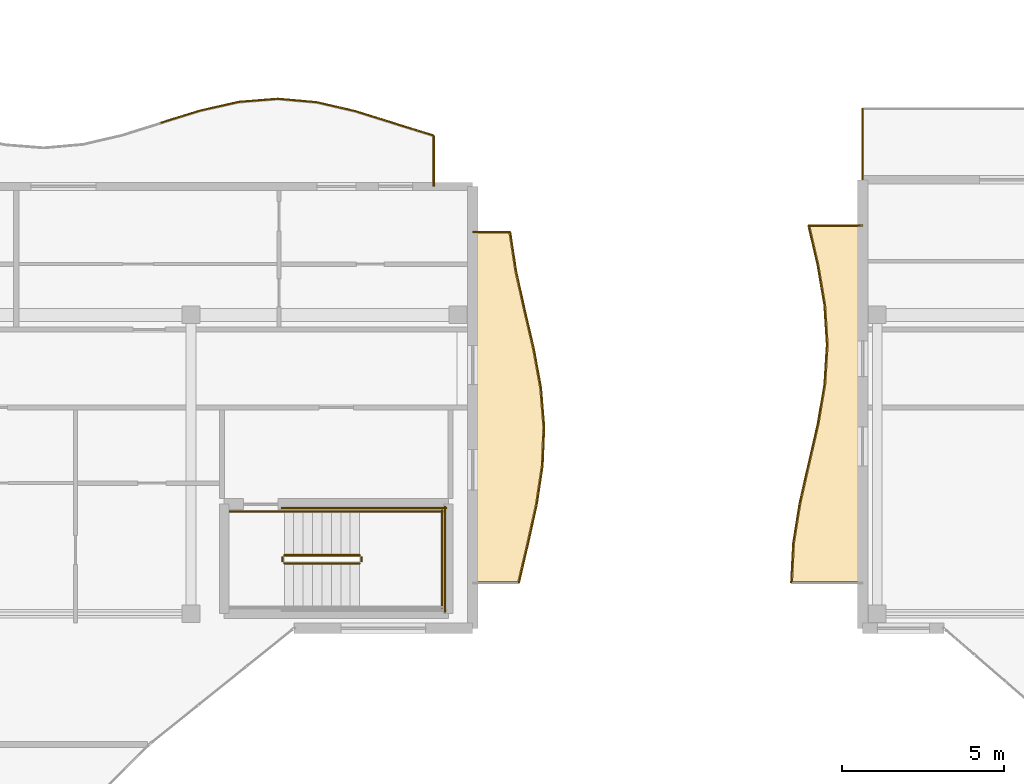
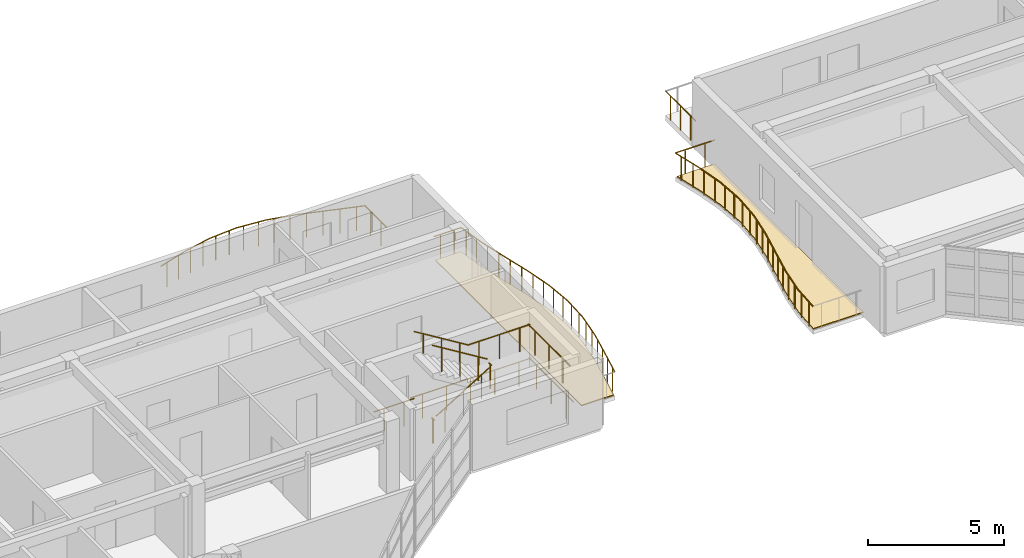
# One storey, part 46 of 54: 39 railings, 2 coverings.
"""IFC4 building model written with IfcOpenShell, lengths in metres."""

from ifc_helpers import new_model, si_unit, direction, frame, origin, origin_2d, place, context, subcontext, project, spatial, polyline, circle, outline, extrude, material, layer, layer_set, type_object, element, save


model = new_model("IFC4")

# Units and contexts
model_context = context("Model", 3, precision=1e-05, world=origin(), true_north=direction((0.0, 1.0)))
body_context = subcontext(model_context, "Body", "Model", "MODEL_VIEW")
ifc_project = project(units=[si_unit("LENGTHUNIT", "METRE"), si_unit("AREAUNIT", "SQUARE_METRE"), si_unit("VOLUMEUNIT", "CUBIC_METRE"), si_unit("PLANEANGLEUNIT", "RADIAN"), si_unit("MASSUNIT", "GRAM", prefix="KILO")], contexts=[model_context])

# Site, building, storey
site_placement = place(None, origin())
site = spatial("IfcSite", under=ifc_project, at=site_placement, CompositionType="ELEMENT")
building_placement = place(site_placement, origin())
building = spatial("IfcBuilding", under=site, at=building_placement, Name="Keldmere Railside Commons", CompositionType="ELEMENT")
storey_placement = place(building_placement, frame((0.0, 0.0, 26.56005859375)))
storey = spatial("IfcBuildingStorey", under=building, at=storey_placement, Name="L08", CompositionType="ELEMENT", Elevation=26.56005859375)

# Railings
ifc_material_1 = material(Name="Steel F-24 (S235)", Category="steel")
railing_type_1 = type_object("IfcRailingType", Name="Balcony & Terrace Steel Balustrade 1100", PredefinedType="BALUSTRADE", material=ifc_material_1)
railing_1_placement = place(storey_placement, frame((71.89990234375, 115.560546875, 0.0)))
element("IfcRailing", 1, at=railing_1_placement, inside=storey, type_object=railing_type_1, Name="GR-1 GRD-L08-1664", PredefinedType="BALUSTRADE", context=body_context, shape_type="SweptSolid", body=[
    extrude(circle(Radius=0.02392578125, at=origin_2d()), frame((0.0, 0.0, 1.076171875), z_axis=(0.954824938792, 0.297168868257, 0.0), x_axis=(-0.297168868257, 0.954824938792, 0.0)), (0.0, 0.0, 1.0), 1.257080078125),
    extrude(circle(Radius=0.02099609375, at=origin_2d()), frame((0.300048828125, 0.09326171875, 0.0)), (0.0, 0.0, 1.0), 1.048095703125),
    extrude(circle(Radius=0.02099609375, at=origin_2d()), frame((0.900146484375, 0.2802734375, 0.0)), (0.0, 0.0, 1.0), 1.048095703125),
])
railing_2_placement = place(storey_placement, frame((73.10009765625, 115.93408203125, 0.0)))
element("IfcRailing", 2, at=railing_2_placement, inside=storey, type_object=railing_type_1, Name="GR-1 GRD-L08-1665", PredefinedType="BALUSTRADE", context=body_context, shape_type="SweptSolid", body=[
    extrude(circle(Radius=0.02392578125, at=origin_2d()), frame((0.0, 0.0, 1.076171875), z_axis=(0.975519348897, 0.219913619243, 0.0), x_axis=(-0.219913619243, 0.975519348897, 0.0)), (0.0, 0.0, 1.0), 1.22998046875),
    extrude(circle(Radius=0.02099609375, at=origin_2d()), frame((0.300048828125, 0.067626953125, 0.0)), (0.0, 0.0, 1.0), 1.048095703125),
    extrude(circle(Radius=0.02099609375, at=origin_2d()), frame((0.89990234375, 0.202880859375, 0.0)), (0.0, 0.0, 1.0), 1.048095703125),
])
railing_3_placement = place(storey_placement, frame((74.300048828125, 116.20458984375, 0.0)))
element("IfcRailing", 3, at=railing_3_placement, inside=storey, type_object=railing_type_1, Name="GR-1 GRD-L08-1666", PredefinedType="BALUSTRADE", context=body_context, shape_type="SweptSolid", body=[
    extrude(circle(Radius=0.02392578125, at=origin_2d()), frame((0.0, 0.0, 1.076171875), z_axis=(0.996866661985, 0.079100304817, 0.0), x_axis=(-0.079100304817, 0.996866661985, 0.0)), (0.0, 0.0, 1.0), 1.20361328125),
    extrude(circle(Radius=0.02099609375, at=origin_2d()), frame((0.300048828125, 0.02392578125, 0.0)), (0.0, 0.0, 1.0), 1.048095703125),
    extrude(circle(Radius=0.02099609375, at=origin_2d()), frame((0.89990234375, 0.0712890625, 0.0)), (0.0, 0.0, 1.0), 1.048095703125),
])
railing_4_placement = place(storey_placement, frame((75.5, 116.2998046875, 0.0)))
element("IfcRailing", 4, at=railing_4_placement, inside=storey, type_object=railing_type_1, Name="GR-1 GRD-L08-1667", PredefinedType="BALUSTRADE", context=body_context, shape_type="SweptSolid", body=[
    extrude(circle(Radius=0.02392578125, at=origin_2d()), frame((0.0, 0.0, 1.076171875), z_axis=(0.996141844593, -0.08775776576, 0.0), x_axis=(0.08775776576, 0.996141844593, 0.0)), (0.0, 0.0, 1.0), 1.20458984375),
    extrude(circle(Radius=0.02099609375, at=origin_2d()), frame((0.300048828125, -0.0263671875, 0.0)), (0.0, 0.0, 1.0), 1.048095703125),
    extrude(circle(Radius=0.02099609375, at=origin_2d()), frame((0.89990234375, -0.079345703125, 0.0)), (0.0, 0.0, 1.0), 1.048095703125),
])
railing_5_placement = place(storey_placement, frame((76.699951171875, 116.194091796875, 0.0)))
element("IfcRailing", 5, at=railing_5_placement, inside=storey, type_object=railing_type_1, Name="GR-1 GRD-L08-1668", PredefinedType="BALUSTRADE", context=body_context, shape_type="SweptSolid", body=[
    extrude(circle(Radius=0.02392578125, at=origin_2d()), frame((0.0, 0.0, 1.076171875), z_axis=(0.974183667975, -0.225756906983, 0.0), x_axis=(0.225756906983, 0.974183667975, 0.0)), (0.0, 0.0, 1.0), 1.231689453125),
    extrude(circle(Radius=0.02099609375, at=origin_2d()), frame((0.300048828125, -0.069580078125, 0.0)), (0.0, 0.0, 1.0), 1.048095703125),
    extrude(circle(Radius=0.02099609375, at=origin_2d()), frame((0.89990234375, -0.20849609375, 0.0)), (0.0, 0.0, 1.0), 1.048095703125),
])
railing_6_placement = place(storey_placement, frame((77.89990234375, 115.916015625, 0.0)))
element("IfcRailing", 6, at=railing_6_placement, inside=storey, type_object=railing_type_1, Name="GR-1 GRD-L08-1669", PredefinedType="BALUSTRADE", context=body_context, shape_type="SweptSolid", body=[
    extrude(circle(Radius=0.02392578125, at=origin_2d()), frame((0.0, 0.0, 1.076171875), z_axis=(0.954161704015, -0.299291567858, 0.0), x_axis=(0.299291567858, 0.954161704015, 0.0)), (0.0, 0.0, 1.0), 1.2578125),
    extrude(circle(Radius=0.02099609375, at=origin_2d()), frame((0.300048828125, -0.09423828125, 0.0)), (0.0, 0.0, 1.0), 1.048095703125),
    extrude(circle(Radius=0.02099609375, at=origin_2d()), frame((0.900146484375, -0.2822265625, 0.0)), (0.0, 0.0, 1.0), 1.048095703125),
])
railing_7_placement = place(storey_placement, frame((79.10009765625, 115.53955078125, 0.0)))
element("IfcRailing", 7, at=railing_7_placement, inside=storey, type_object=railing_type_1, Name="GR-1 GRD-L08-1670", PredefinedType="BALUSTRADE", context=body_context, shape_type="SweptSolid", body=[
    extrude(circle(Radius=0.02392578125, at=origin_2d()), frame((0.0, 0.0, 1.076171875), z_axis=(0.954807781872, -0.297223989067, 0.0), x_axis=(0.297223989067, 0.954807781872, 0.0)), (0.0, 0.0, 1.0), 1.2568359375),
    extrude(circle(Radius=0.02099609375, at=origin_2d()), frame((0.300048828125, -0.09326171875, 0.0)), (0.0, 0.0, 1.0), 1.048095703125),
    extrude(circle(Radius=0.02099609375, at=origin_2d()), frame((0.89990234375, -0.2802734375, 0.0)), (0.0, 0.0, 1.0), 1.048095703125),
])
railing_8_placement = place(storey_placement, frame((80.300048828125, 115.166015625, 0.0)))
element("IfcRailing", 8, at=railing_8_placement, inside=storey, type_object=railing_type_1, Name="GR-1 GRD-L08-1671", PredefinedType="BALUSTRADE", context=body_context, shape_type="SweptSolid", body=[
    extrude(circle(Radius=0.02392578125, at=origin_2d()), frame((0.0, 0.0, 1.076171875), z_axis=(0.0, -1.0, 0.0), x_axis=(1.0, 0.0, 0.0)), (0.0, 0.0, 1.0), 1.56591796875),
    extrude(circle(Radius=0.02099609375, at=origin_2d()), frame((0.0, -0.3916015625, 0.0)), (0.0, 0.0, 1.0), 1.048095703125),
    extrude(circle(Radius=0.02099609375, at=origin_2d()), frame((0.0, -1.17431640625, 0.0)), (0.0, 0.0, 1.0), 1.048095703125),
])
railing_9_placement = place(storey_placement, frame((82.919189453125, 101.39990234375, 0.0)))
element("IfcRailing", 9, at=railing_9_placement, inside=storey, type_object=railing_type_1, Name="GR-1 GRD-L08-1719", PredefinedType="BALUSTRADE", context=body_context, shape_type="SweptSolid", body=[
    extrude(circle(Radius=0.02392578125, at=origin_2d()), frame((0.0, 0.0, 1.076171875), z_axis=(0.227592779439, 0.973756400106, 0.0), x_axis=(-0.973756400106, 0.227592779439, 0.0)), (0.0, 0.0, 1.0), 1.232421875),
    extrude(circle(Radius=0.02099609375, at=origin_2d()), frame((0.070068359375, 0.300048828125, 0.0)), (0.0, 0.0, 1.0), 1.048095703125),
    extrude(circle(Radius=0.02099609375, at=origin_2d()), frame((0.21044921875, 0.900146484375, 0.0)), (0.0, 0.0, 1.0), 1.048095703125),
])
railing_10_placement = place(storey_placement, frame((83.19970703125, 102.60009765625, 0.0)))
element("IfcRailing", 10, at=railing_10_placement, inside=storey, type_object=railing_type_1, Name="GR-1 GRD-L08-1720", PredefinedType="BALUSTRADE", context=body_context, shape_type="SweptSolid", body=[
    extrude(circle(Radius=0.02392578125, at=origin_2d()), frame((0.0, 0.0, 1.076171875), z_axis=(0.217266894367, 0.976112235663, 0.0), x_axis=(-0.976112235663, 0.217266894367, 0.0)), (0.0, 0.0, 1.0), 1.229248046875),
    extrude(circle(Radius=0.02099609375, at=origin_2d()), frame((0.06689453125, 0.300048828125, 0.0)), (0.0, 0.0, 1.0), 1.048095703125),
    extrude(circle(Radius=0.02099609375, at=origin_2d()), frame((0.2001953125, 0.89990234375, 0.0)), (0.0, 0.0, 1.0), 1.048095703125),
])
railing_11_placement = place(storey_placement, frame((83.466796875, 103.800048828125, 0.0)))
element("IfcRailing", 11, at=railing_11_placement, inside=storey, type_object=railing_type_1, Name="GR-1 GRD-L08-1721", PredefinedType="BALUSTRADE", context=body_context, shape_type="SweptSolid", body=[
    extrude(circle(Radius=0.02392578125, at=origin_2d()), frame((0.0, 0.0, 1.076171875), z_axis=(0.15025821956, 0.988646785993, 0.0), x_axis=(-0.988646785993, 0.15025821956, 0.0)), (0.0, 0.0, 1.0), 1.213623046875),
    extrude(circle(Radius=0.02099609375, at=origin_2d()), frame((0.045654296875, 0.300048828125, 0.0)), (0.0, 0.0, 1.0), 1.048095703125),
    extrude(circle(Radius=0.02099609375, at=origin_2d()), frame((0.13671875, 0.89990234375, 0.0)), (0.0, 0.0, 1.0), 1.048095703125),
])
railing_12_placement = place(storey_placement, frame((83.649169921875, 105.0, 0.0)))
element("IfcRailing", 12, at=railing_12_placement, inside=storey, type_object=railing_type_1, Name="GR-1 GRD-L08-1722", PredefinedType="BALUSTRADE", context=body_context, shape_type="SweptSolid", body=[
    extrude(circle(Radius=0.02392578125, at=origin_2d()), frame((0.0, 0.0, 1.076171875), z_axis=(0.040455155578, 0.999181355104, 0.0), x_axis=(-0.999181355104, 0.040455155578, 0.0)), (0.0, 0.0, 1.0), 1.200927734375),
    extrude(circle(Radius=0.02099609375, at=origin_2d()), frame((0.01220703125, 0.300048828125, 0.0)), (0.0, 0.0, 1.0), 1.048095703125),
    extrude(circle(Radius=0.02099609375, at=origin_2d()), frame((0.036376953125, 0.89990234375, 0.0)), (0.0, 0.0, 1.0), 1.048095703125),
])
railing_13_placement = place(storey_placement, frame((83.69775390625, 106.199951171875, 0.0)))
element("IfcRailing", 13, at=railing_13_placement, inside=storey, type_object=railing_type_1, Name="GR-1 GRD-L08-1723", PredefinedType="BALUSTRADE", context=body_context, shape_type="SweptSolid", body=[
    extrude(circle(Radius=0.02392578125, at=origin_2d()), frame((0.0, 0.0, 1.076171875), z_axis=(-0.08151822668, 0.996671851072, 0.0), x_axis=(-0.996671851072, -0.08151822668, 0.0)), (0.0, 0.0, 1.0), 1.203857421875),
    extrude(circle(Radius=0.02099609375, at=origin_2d()), frame((-0.0244140625, 0.300048828125, 0.0)), (0.0, 0.0, 1.0), 1.048095703125),
    extrude(circle(Radius=0.02099609375, at=origin_2d()), frame((-0.07373046875, 0.89990234375, 0.0)), (0.0, 0.0, 1.0), 1.048095703125),
])
railing_14_placement = place(storey_placement, frame((83.599609375, 107.39990234375, 0.0)))
element("IfcRailing", 14, at=railing_14_placement, inside=storey, type_object=railing_type_1, Name="GR-1 GRD-L08-1724", PredefinedType="BALUSTRADE", context=body_context, shape_type="SweptSolid", body=[
    extrude(circle(Radius=0.02392578125, at=origin_2d()), frame((0.0, 0.0, 1.076171875), z_axis=(-0.179308076446, 0.983792972999, 0.0), x_axis=(-0.983792972999, -0.179308076446, 0.0)), (0.0, 0.0, 1.0), 1.219970703125),
    extrude(circle(Radius=0.02099609375, at=origin_2d()), frame((-0.0546875, 0.300048828125, 0.0)), (0.0, 0.0, 1.0), 1.048095703125),
    extrude(circle(Radius=0.02099609375, at=origin_2d()), frame((-0.1640625, 0.900146484375, 0.0)), (0.0, 0.0, 1.0), 1.048095703125),
])
railing_15_placement = place(storey_placement, frame((83.380859375, 108.60009765625, 0.0)))
element("IfcRailing", 15, at=railing_15_placement, inside=storey, type_object=railing_type_1, Name="GR-1 GRD-L08-1725", PredefinedType="BALUSTRADE", context=body_context, shape_type="SweptSolid", body=[
    extrude(circle(Radius=0.02392578125, at=origin_2d()), frame((0.0, 0.0, 1.076171875), z_axis=(-0.227636685931, 0.973746136947, 0.0), x_axis=(-0.973746136947, -0.227636685931, 0.0)), (0.0, 0.0, 1.0), 1.232421875),
    extrude(circle(Radius=0.02099609375, at=origin_2d()), frame((-0.070068359375, 0.300048828125, 0.0)), (0.0, 0.0, 1.0), 1.048095703125),
    extrude(circle(Radius=0.02099609375, at=origin_2d()), frame((-0.21044921875, 0.89990234375, 0.0)), (0.0, 0.0, 1.0), 1.048095703125),
])
railing_16_placement = place(storey_placement, frame((83.100341796875, 109.800048828125, 0.0)))
element("IfcRailing", 16, at=railing_16_placement, inside=storey, type_object=railing_type_1, Name="GR-1 GRD-L08-1726", PredefinedType="BALUSTRADE", context=body_context, shape_type="SweptSolid", body=[
    extrude(circle(Radius=0.02392578125, at=origin_2d()), frame((0.0, 0.0, 1.076171875), z_axis=(-0.217456105912, 0.976070100967, 0.0), x_axis=(-0.976070100967, -0.217456105912, 0.0)), (0.0, 0.0, 1.0), 1.229248046875),
    extrude(circle(Radius=0.02099609375, at=origin_2d()), frame((-0.06689453125, 0.300048828125, 0.0)), (0.0, 0.0, 1.0), 1.048095703125),
    extrude(circle(Radius=0.02099609375, at=origin_2d()), frame((-0.200439453125, 0.89990234375, 0.0)), (0.0, 0.0, 1.0), 1.048095703125),
])
railing_17_placement = place(storey_placement, frame((82.8330078125, 111.0, 0.0)))
element("IfcRailing", 17, at=railing_17_placement, inside=storey, type_object=railing_type_1, Name="GR-1 GRD-L08-1727", PredefinedType="BALUSTRADE", context=body_context, shape_type="SweptSolid", body=[
    extrude(circle(Radius=0.02392578125, at=origin_2d()), frame((0.0, 0.0, 1.076171875), z_axis=(-0.150061603207, 0.988676648477, 0.0), x_axis=(-0.988676648477, -0.150061603207, 0.0)), (0.0, 0.0, 1.0), 1.213623046875),
    extrude(circle(Radius=0.02099609375, at=origin_2d()), frame((-0.04541015625, 0.300048828125, 0.0)), (0.0, 0.0, 1.0), 1.048095703125),
    extrude(circle(Radius=0.02099609375, at=origin_2d()), frame((-0.13671875, 0.89990234375, 0.0)), (0.0, 0.0, 1.0), 1.048095703125),
])
railing_18_placement = place(storey_placement, frame((82.65087890625, 112.199951171875, 0.0)))
element("IfcRailing", 18, at=railing_18_placement, inside=storey, type_object=railing_type_1, Name="GR-1 GRD-L08-1728", PredefinedType="BALUSTRADE", context=body_context, shape_type="SweptSolid", body=[
    extrude(circle(Radius=0.02392578125, at=origin_2d()), frame((0.0, 0.0, 1.076171875), z_axis=(-1.0, 0.0, 0.0), x_axis=(0.0, -1.0, 0.0)), (0.0, 0.0, 1.0), 1.15087890625),
    extrude(circle(Radius=0.02099609375, at=origin_2d()), frame((-0.28759765625, 0.0, 0.0)), (0.0, 0.0, 1.0), 1.048095703125),
    extrude(circle(Radius=0.02099609375, at=origin_2d()), frame((-0.86328125, 0.0, 0.0)), (0.0, 0.0, 1.0), 1.048095703125),
])
railing_19_placement = place(storey_placement, frame((91.30078125, 101.39990234375, 0.0)))
element("IfcRailing", 19, at=railing_19_placement, inside=storey, type_object=railing_type_1, Name="GR-1 GRD-L08-2823", PredefinedType="BALUSTRADE", context=body_context, shape_type="SweptSolid", body=[
    extrude(circle(Radius=0.02392578125, at=origin_2d()), frame((0.0, 0.0, 1.076171875), z_axis=(0.05006694864, 0.998745863898, 0.0), x_axis=(-0.998745863898, 0.05006694864, 0.0)), (0.0, 0.0, 1.0), 1.223876953125),
    extrude(circle(Radius=0.02099609375, at=origin_2d()), frame((0.015380859375, 0.3056640625, 0.0)), (0.0, 0.0, 1.0), 1.048095703125),
    extrude(circle(Radius=0.02099609375, at=origin_2d()), frame((0.0458984375, 0.916748046875, 0.0)), (0.0, 0.0, 1.0), 1.048095703125),
])
railing_20_placement = place(storey_placement, frame((91.362060546875, 102.622314453125, 0.0)))
element("IfcRailing", 20, at=railing_20_placement, inside=storey, type_object=railing_type_1, Name="GR-1 GRD-L08-2824", PredefinedType="BALUSTRADE", context=body_context, shape_type="SweptSolid", body=[
    extrude(circle(Radius=0.02392578125, at=origin_2d()), frame((0.0, 0.0, 1.076171875), z_axis=(0.158767358593, 0.987316021264, 0.0), x_axis=(-0.987316021264, 0.158767358593, 0.0)), (0.0, 0.0, 1.0), 1.23779296875),
    extrude(circle(Radius=0.02099609375, at=origin_2d()), frame((0.049072265625, 0.3056640625, 0.0)), (0.0, 0.0, 1.0), 1.048095703125),
    extrude(circle(Radius=0.02099609375, at=origin_2d()), frame((0.1474609375, 0.91650390625, 0.0)), (0.0, 0.0, 1.0), 1.048095703125),
])
railing_21_placement = place(storey_placement, frame((91.55859375, 103.844482421875, 0.0)))
element("IfcRailing", 21, at=railing_21_placement, inside=storey, type_object=railing_type_1, Name="GR-1 GRD-L08-2825", PredefinedType="BALUSTRADE", context=body_context, shape_type="SweptSolid", body=[
    extrude(circle(Radius=0.02392578125, at=origin_2d()), frame((0.0, 0.0, 1.076171875), z_axis=(0.22148638787, 0.975163463215, 0.0), x_axis=(-0.975163463215, 0.22148638787, 0.0)), (0.0, 0.0, 1.0), 1.253173828125),
    extrude(circle(Radius=0.02099609375, at=origin_2d()), frame((0.0693359375, 0.3056640625, 0.0)), (0.0, 0.0, 1.0), 1.048095703125),
    extrude(circle(Radius=0.02099609375, at=origin_2d()), frame((0.208251953125, 0.91650390625, 0.0)), (0.0, 0.0, 1.0), 1.048095703125),
])
railing_22_placement = place(storey_placement, frame((91.836181640625, 105.066650390625, 0.0)))
element("IfcRailing", 22, at=railing_22_placement, inside=storey, type_object=railing_type_1, Name="GR-1 GRD-L08-2826", PredefinedType="BALUSTRADE", context=body_context, shape_type="SweptSolid", body=[
    extrude(circle(Radius=0.02392578125, at=origin_2d()), frame((0.0, 0.0, 1.076171875), z_axis=(0.224447193324, 0.974486253063, 0.0), x_axis=(-0.974486253063, 0.224447193324, 0.0)), (0.0, 0.0, 1.0), 1.254150390625),
    extrude(circle(Radius=0.02099609375, at=origin_2d()), frame((0.0703125, 0.3056640625, 0.0)), (0.0, 0.0, 1.0), 1.048095703125),
    extrude(circle(Radius=0.02099609375, at=origin_2d()), frame((0.211181640625, 0.91650390625, 0.0)), (0.0, 0.0, 1.0), 1.048095703125),
])
railing_23_placement = place(storey_placement, frame((92.11767578125, 106.288818359375, 0.0)))
element("IfcRailing", 23, at=railing_23_placement, inside=storey, type_object=railing_type_1, Name="GR-1 GRD-L08-2827", PredefinedType="BALUSTRADE", context=body_context, shape_type="SweptSolid", body=[
    extrude(circle(Radius=0.02392578125, at=origin_2d()), frame((0.0, 0.0, 1.076171875), z_axis=(0.167017369654, 0.985953953404, 0.0), x_axis=(-0.985953953404, 0.167017369654, 0.0)), (0.0, 0.0, 1.0), 1.239501953125),
    extrude(circle(Radius=0.02099609375, at=origin_2d()), frame((0.0517578125, 0.3056640625, 0.0)), (0.0, 0.0, 1.0), 1.048095703125),
    extrude(circle(Radius=0.02099609375, at=origin_2d()), frame((0.1552734375, 0.91650390625, 0.0)), (0.0, 0.0, 1.0), 1.048095703125),
])
railing_24_placement = place(storey_placement, frame((92.32470703125, 107.510986328125, 0.0)))
element("IfcRailing", 24, at=railing_24_placement, inside=storey, type_object=railing_type_1, Name="GR-1 GRD-L08-2828", PredefinedType="BALUSTRADE", context=body_context, shape_type="SweptSolid", body=[
    extrude(circle(Radius=0.02392578125, at=origin_2d()), frame((0.0, 0.0, 1.076171875), z_axis=(0.061397826865, 0.998113373749, 0.0), x_axis=(-0.998113373749, 0.061397826865, 0.0)), (0.0, 0.0, 1.0), 1.224609375),
    extrude(circle(Radius=0.02099609375, at=origin_2d()), frame((0.018798828125, 0.3056640625, 0.0)), (0.0, 0.0, 1.0), 1.048095703125),
    extrude(circle(Radius=0.02099609375, at=origin_2d()), frame((0.056396484375, 0.916748046875, 0.0)), (0.0, 0.0, 1.0), 1.048095703125),
])
railing_25_placement = place(storey_placement, frame((92.39990234375, 108.7333984375, 0.0)))
element("IfcRailing", 25, at=railing_25_placement, inside=storey, type_object=railing_type_1, Name="GR-1 GRD-L08-2829", PredefinedType="BALUSTRADE", context=body_context, shape_type="SweptSolid", body=[
    extrude(circle(Radius=0.02392578125, at=origin_2d()), frame((0.0, 0.0, 1.076171875), z_axis=(-0.063197429309, 0.998001044553, 0.0), x_axis=(-0.998001044553, -0.063197429309, 0.0)), (0.0, 0.0, 1.0), 1.224609375),
    extrude(circle(Radius=0.02099609375, at=origin_2d()), frame((-0.019287109375, 0.3056640625, 0.0)), (0.0, 0.0, 1.0), 1.048095703125),
    extrude(circle(Radius=0.02099609375, at=origin_2d()), frame((-0.05810546875, 0.91650390625, 0.0)), (0.0, 0.0, 1.0), 1.048095703125),
])
railing_26_placement = place(storey_placement, frame((92.322509765625, 109.95556640625, 0.0)))
element("IfcRailing", 26, at=railing_26_placement, inside=storey, type_object=railing_type_1, Name="GR-1 GRD-L08-2830", PredefinedType="BALUSTRADE", context=body_context, shape_type="SweptSolid", body=[
    extrude(circle(Radius=0.02392578125, at=origin_2d()), frame((0.0, 0.0, 1.076171875), z_axis=(-0.168357128733, 0.985726066007, 0.0), x_axis=(-0.985726066007, -0.168357128733, 0.0)), (0.0, 0.0, 1.0), 1.23974609375),
    extrude(circle(Radius=0.02099609375, at=origin_2d()), frame((-0.05224609375, 0.3056640625, 0.0)), (0.0, 0.0, 1.0), 1.048095703125),
    extrude(circle(Radius=0.02099609375, at=origin_2d()), frame((-0.156494140625, 0.91650390625, 0.0)), (0.0, 0.0, 1.0), 1.048095703125),
])
railing_27_placement = place(storey_placement, frame((92.11376953125, 111.177734375, 0.0)))
element("IfcRailing", 27, at=railing_27_placement, inside=storey, type_object=railing_type_1, Name="GR-1 GRD-L08-2831", PredefinedType="BALUSTRADE", context=body_context, shape_type="SweptSolid", body=[
    extrude(circle(Radius=0.02392578125, at=origin_2d()), frame((0.0, 0.0, 1.076171875), z_axis=(-0.224816859188, 0.974401036445, 0.0), x_axis=(-0.974401036445, -0.224816859188, 0.0)), (0.0, 0.0, 1.0), 1.25439453125),
    extrude(circle(Radius=0.02099609375, at=origin_2d()), frame((-0.070556640625, 0.3056640625, 0.0)), (0.0, 0.0, 1.0), 1.048095703125),
    extrude(circle(Radius=0.02099609375, at=origin_2d()), frame((-0.21142578125, 0.91650390625, 0.0)), (0.0, 0.0, 1.0), 1.048095703125),
])
railing_28_placement = place(storey_placement, frame((91.831787109375, 112.39990234375, 0.0)))
element("IfcRailing", 28, at=railing_28_placement, inside=storey, type_object=railing_type_1, Name="GR-1 GRD-L08-2832", PredefinedType="BALUSTRADE", context=body_context, shape_type="SweptSolid", body=[
    extrude(circle(Radius=0.02392578125, at=origin_2d()), frame((0.0, 0.0, 1.076171875), z_axis=(1.0, 0.0, 0.0), x_axis=(0.0, 1.0, 0.0)), (0.0, 0.0, 1.0), 1.668212890625),
    extrude(circle(Radius=0.02099609375, at=origin_2d()), frame((0.4169921875, 0.0, 0.0)), (0.0, 0.0, 1.0), 1.048095703125),
    extrude(circle(Radius=0.02099609375, at=origin_2d()), frame((1.251220703125, 0.0, 0.0)), (0.0, 0.0, 1.0), 1.048095703125),
])
railing_29_placement = place(storey_placement, frame((93.5, 113.800048828125, 0.0)))
element("IfcRailing", 29, at=railing_29_placement, inside=storey, type_object=railing_type_1, Name="GR-1 GRD-L08-2836", PredefinedType="BALUSTRADE", context=body_context, shape_type="SweptSolid", body=[
    extrude(circle(Radius=0.02392578125, at=origin_2d()), frame((0.0, 0.0, 1.076171875), z_axis=(0.0, 1.0, 0.0), x_axis=(-1.0, 0.0, 0.0)), (0.0, 0.0, 1.0), 2.199951171875),
    extrude(circle(Radius=0.02099609375, at=origin_2d()), frame((0.0, 0.36669921875, 0.0)), (0.0, 0.0, 1.0), 1.048095703125),
    extrude(circle(Radius=0.02099609375, at=origin_2d()), frame((0.0, 1.10009765625, 0.0)), (0.0, 0.0, 1.0), 1.048095703125),
    extrude(circle(Radius=0.02099609375, at=origin_2d()), frame((0.0, 1.833251953125, 0.0)), (0.0, 0.0, 1.0), 1.048095703125),
])
railing_type_2 = type_object("IfcRailingType", Name="Stair Well Steel Guardrail 1100", PredefinedType="BALUSTRADE", material=ifc_material_1)
railing_30_placement = place(storey_placement, frame((75.699951171875, 102.0, 0.177734375)))
element("IfcRailing", 30, at=railing_30_placement, inside=storey, type_object=railing_type_2, Name="L08 ST-C2 stair guard 1", PredefinedType="BALUSTRADE", context=body_context, shape_type="SweptSolid", body=[
    extrude(circle(Radius=0.02392578125, at=origin_2d()), frame((0.0, 0.0, 1.076171875), z_axis=(0.852578041948, 0.0, 0.522599925744), x_axis=(0.0, 1.0, 0.0)), (0.0, 0.0, 1.0), 2.72119140625),
    extrude(circle(Radius=0.02099609375, at=origin_2d()), frame((0.38671875, 0.0, 0.237060546875)), (0.0, 0.0, 1.0), 1.048095703125),
    extrude(circle(Radius=0.02099609375, at=origin_2d()), frame((1.16015625, 0.0, 0.7109375)), (0.0, 0.0, 1.0), 1.048095703125),
    extrude(circle(Radius=0.02099609375, at=origin_2d()), frame((1.933349609375, 0.0, 1.18505859375)), (0.0, 0.0, 1.0), 1.048095703125),
])
railing_31_placement = place(storey_placement, frame((78.070068359375, 102.050048828125, 1.599853515625)))
element("IfcRailing", 31, at=railing_31_placement, inside=storey, type_object=railing_type_2, Name="L08 ST-C2 stair guard 2", PredefinedType="BALUSTRADE", context=body_context, shape_type="SweptSolid", body=[
    extrude(circle(Radius=0.02392578125, at=origin_2d()), frame((0.0, 0.0, 1.076171875), z_axis=(0.0, 1.0, 0.0), x_axis=(-1.0, 0.0, 0.0)), (0.0, 0.0, 1.0), 0.14990234375),
    extrude(circle(Radius=0.02099609375, at=origin_2d()), frame((0.0, 0.074951171875, 0.0)), (0.0, 0.0, 1.0), 1.048095703125),
])
railing_32_placement = place(storey_placement, frame((78.02001953125, 103.60009765625, 1.599853515625)))
element("IfcRailing", 32, at=railing_32_placement, inside=storey, type_object=railing_type_2, Name="L08 ST-C2 stair guard 4", PredefinedType="BALUSTRADE", context=body_context, shape_type="SweptSolid", body=[
    extrude(circle(Radius=0.02392578125, at=origin_2d()), frame((0.0, 0.0, 1.076171875), z_axis=(1.0, 0.0, 0.0), x_axis=(0.0, 1.0, 0.0)), (0.0, 0.0, 1.0), 2.580078125),
    extrude(circle(Radius=0.02099609375, at=origin_2d()), frame((0.429931640625, 0.0, 0.0)), (0.0, 0.0, 1.0), 1.048095703125),
    extrude(circle(Radius=0.02099609375, at=origin_2d()), frame((1.2900390625, 0.0, 0.0)), (0.0, 0.0, 1.0), 1.048095703125),
    extrude(circle(Radius=0.02099609375, at=origin_2d()), frame((2.150146484375, 0.0, 0.0)), (0.0, 0.0, 1.0), 1.048095703125),
])
railing_33_placement = place(storey_placement, frame((80.550048828125, 100.60009765625, 1.599853515625)))
element("IfcRailing", 33, at=railing_33_placement, inside=storey, type_object=railing_type_2, Name="L08 ST-C2 stair guard 5", PredefinedType="BALUSTRADE", context=body_context, shape_type="SweptSolid", body=[
    extrude(circle(Radius=0.02392578125, at=origin_2d()), frame((0.0, 0.0, 1.076171875), z_axis=(0.0, 1.0, 0.0), x_axis=(-1.0, 0.0, 0.0)), (0.0, 0.0, 1.0), 3.0498046875),
    extrude(circle(Radius=0.02099609375, at=origin_2d()), frame((0.0, 0.50830078125, 0.0)), (0.0, 0.0, 1.0), 1.048095703125),
    extrude(circle(Radius=0.02099609375, at=origin_2d()), frame((0.0, 1.52490234375, 0.0)), (0.0, 0.0, 1.0), 1.048095703125),
    extrude(circle(Radius=0.02099609375, at=origin_2d()), frame((0.0, 2.54150390625, 0.0)), (0.0, 0.0, 1.0), 1.048095703125),
])
railing_34_placement = place(storey_placement, frame((78.02001953125, 102.25, 1.77783203125)))
element("IfcRailing", 34, at=railing_34_placement, inside=storey, type_object=railing_type_2, Name="L08 ST-C2 stair guard 6", PredefinedType="BALUSTRADE", context=body_context, shape_type="SweptSolid", body=[
    extrude(circle(Radius=0.02392578125, at=origin_2d()), frame((0.0, 0.0, 1.076171875), z_axis=(-0.852578041948, 0.0, 0.522599925744), x_axis=(0.0, -1.0, 0.0)), (0.0, 0.0, 1.0), 2.72119140625),
    extrude(circle(Radius=0.02099609375, at=origin_2d()), frame((-0.38671875, 0.0, 0.237060546875)), (0.0, 0.0, 1.0), 1.048095703125),
    extrude(circle(Radius=0.02099609375, at=origin_2d()), frame((-1.16015625, 0.0, 0.7109375)), (0.0, 0.0, 1.0), 1.048095703125),
    extrude(circle(Radius=0.02099609375, at=origin_2d()), frame((-1.933349609375, 0.0, 1.18505859375)), (0.0, 0.0, 1.0), 1.048095703125),
])
railing_35_placement = place(storey_placement, frame((75.64990234375, 102.050048828125, 0.0)))
element("IfcRailing", 35, at=railing_35_placement, inside=storey, type_object=railing_type_2, Name="L08 ST-C2 stair guard 7", PredefinedType="BALUSTRADE", context=body_context, shape_type="SweptSolid", body=[
    extrude(circle(Radius=0.02392578125, at=origin_2d()), frame((0.0, 0.0, 1.076171875), z_axis=(0.0, 1.0, 0.0), x_axis=(-1.0, 0.0, 0.0)), (0.0, 0.0, 1.0), 0.14990234375),
    extrude(circle(Radius=0.02099609375, at=origin_2d()), frame((0.0, 0.074951171875, 0.0)), (0.0, 0.0, 1.0), 1.048095703125),
])
railing_36_placement = place(storey_placement, frame((74.0, 103.60009765625, 0.0)))
element("IfcRailing", 36, at=railing_36_placement, inside=storey, type_object=railing_type_2, Name="L08 ST-C2 stair guard 9", PredefinedType="BALUSTRADE", context=body_context, shape_type="SweptSolid", body=[
    extrude(circle(Radius=0.02392578125, at=origin_2d()), frame((0.0, 0.0, 1.076171875), z_axis=(1.0, 0.0, 0.0), x_axis=(0.0, 1.0, 0.0)), (0.0, 0.0, 1.0), 1.699951171875),
    extrude(circle(Radius=0.02099609375, at=origin_2d()), frame((0.425048828125, 0.0, 0.0)), (0.0, 0.0, 1.0), 1.048095703125),
    extrude(circle(Radius=0.02099609375, at=origin_2d()), frame((1.27490234375, 0.0, 0.0)), (0.0, 0.0, 1.0), 1.048095703125),
])
railing_37_placement = place(storey_placement, frame((75.60009765625, 103.699951171875, 0.0)))
element("IfcRailing", 37, at=railing_37_placement, inside=storey, type_object=railing_type_2, Name="L08 ST-C2 stair guard 11", PredefinedType="BALUSTRADE", context=body_context, shape_type="SweptSolid", body=[
    extrude(circle(Radius=0.02392578125, at=origin_2d()), frame((0.0, 0.0, 1.076171875), z_axis=(1.0, 0.0, 0.0), x_axis=(0.0, 1.0, 0.0)), (0.0, 0.0, 1.0), 5.099853515625),
    extrude(circle(Radius=0.02099609375, at=origin_2d()), frame((0.510009765625, 0.0, 0.0)), (0.0, 0.0, 1.0), 1.048095703125),
    extrude(circle(Radius=0.02099609375, at=origin_2d()), frame((1.530029296875, 0.0, 0.0)), (0.0, 0.0, 1.0), 1.048095703125),
    extrude(circle(Radius=0.02099609375, at=origin_2d()), frame((2.5498046875, 0.0, 0.0)), (0.0, 0.0, 1.0), 1.048095703125),
    extrude(circle(Radius=0.02099609375, at=origin_2d()), frame((3.56982421875, 0.0, 0.0)), (0.0, 0.0, 1.0), 1.048095703125),
    extrude(circle(Radius=0.02099609375, at=origin_2d()), frame((4.58984375, 0.0, 0.0)), (0.0, 0.0, 1.0), 1.048095703125),
])
railing_38_placement = place(storey_placement, frame((80.64990234375, 100.5, 0.0)))
element("IfcRailing", 38, at=railing_38_placement, inside=storey, type_object=railing_type_2, Name="L08 ST-C2 stair guard 12", PredefinedType="BALUSTRADE", context=body_context, shape_type="SweptSolid", body=[
    extrude(circle(Radius=0.02392578125, at=origin_2d()), frame((0.0, 0.0, 1.076171875), z_axis=(0.0, 1.0, 0.0), x_axis=(-1.0, 0.0, 0.0)), (0.0, 0.0, 1.0), 3.25),
    extrude(circle(Radius=0.02099609375, at=origin_2d()), frame((0.0, 0.541748046875, 0.0)), (0.0, 0.0, 1.0), 1.048095703125),
    extrude(circle(Radius=0.02099609375, at=origin_2d()), frame((0.0, 1.625, 0.0)), (0.0, 0.0, 1.0), 1.048095703125),
    extrude(circle(Radius=0.02099609375, at=origin_2d()), frame((0.0, 2.708251953125, 0.0)), (0.0, 0.0, 1.0), 1.048095703125),
])
railing_type_3 = type_object("IfcRailingType", Name="Wall-Mounted Tubular Steel Handrail 900", PredefinedType="HANDRAIL", material=ifc_material_1)
railing_39_placement = place(storey_placement, frame((78.02001953125, 103.60009765625, 1.77783203125)))
element("IfcRailing", 39, at=railing_39_placement, inside=storey, type_object=railing_type_3, Name="L08 ST-C2 stair handrail 2", PredefinedType="HANDRAIL", context=body_context, shape_type="SweptSolid", body=[
    extrude(circle(Radius=0.02392578125, at=origin_2d()), frame((0.0, 0.0, 0.8759765625), z_axis=(-0.852578041948, 0.0, 0.522599925744), x_axis=(0.0, -1.0, 0.0)), (0.0, 0.0, 1.0), 2.72119140625),
    extrude(circle(Radius=0.02099609375, at=origin_2d()), frame((-0.38671875, 0.0, 0.237060546875)), (0.0, 0.0, 1.0), 0.847900390625),
    extrude(circle(Radius=0.02099609375, at=origin_2d()), frame((-1.16015625, 0.0, 0.7109375)), (0.0, 0.0, 1.0), 0.847900390625),
    extrude(circle(Radius=0.02099609375, at=origin_2d()), frame((-1.933349609375, 0.0, 1.18505859375)), (0.0, 0.0, 1.0), 0.847900390625),
])

# Coverings
ifc_material_2 = material(Name="White Precast Concrete C35/45", Category="concrete")
ifc_layer = layer(ifc_material_2, 0.044921875, Name="White Architectural Balcony Ribbon Cladding 45")
ifc_layer_set = layer_set([ifc_layer], Name="White Precast Concrete C35/45")
covering_type = type_object("IfcCoveringType", Name="White Architectural Balcony Ribbon Cladding 45", PredefinedType="FLOORING", material=ifc_layer_set)
covering_1_placement = place(storey_placement, origin())
element("IfcCovering", 40, at=covering_1_placement, inside=storey, type_object=covering_type, Name="CLG-WB C L08 WE White Balcony Ribbon", PredefinedType="FLOORING", context=body_context, shape_type="SweptSolid", body=[
    extrude(outline(polyline([(83.16064453125, 102.60888671875), (83.427490234375, 103.807373046875), (83.609375, 105.00390625), (83.65771484375, 106.19921875), (83.559814453125, 107.394775390625), (83.341796875, 108.591796875), (83.061279296875, 109.791015625), (83.061279296875, 109.791259765625), (82.794189453125, 110.9912109375), (82.793701171875, 110.993896484375), (82.616455078125, 112.159912109375), (81.5400390625, 112.159912109375), (81.5400390625, 101.43994140625), (82.887451171875, 101.43994140625), (83.16064453125, 102.60888671875)])), origin(), (0.0, 0.0, 1.0), 0.044921875),
])
covering_2_placement = place(storey_placement, origin())
element("IfcCovering", 41, at=covering_2_placement, inside=storey, type_object=covering_type, Name="CLG-WB B L08 WW White Balcony Ribbon", PredefinedType="FLOORING", context=body_context, shape_type="SweptSolid", body=[
    extrude(outline(polyline([(93.4599609375, 112.360107421875), (91.882080078125, 112.360107421875), (92.152587890625, 111.186767578125), (92.153076171875, 111.1845703125), (92.36181640625, 109.96240234375), (92.3623046875, 109.9580078125), (92.43994140625, 108.73583984375), (92.43994140625, 108.730712890625), (92.36474609375, 107.508544921875), (92.3642578125, 107.50439453125), (92.156982421875, 106.2822265625), (92.15673828125, 106.27978515625), (91.875244140625, 105.057861328125), (91.597900390625, 103.8369140625), (91.40185546875, 102.617919921875), (91.343017578125, 101.43994140625), (93.4599609375, 101.43994140625), (93.4599609375, 112.360107421875)])), origin(), (0.0, 0.0, 1.0), 0.044921875),
])

save(model, "model.ifc")
